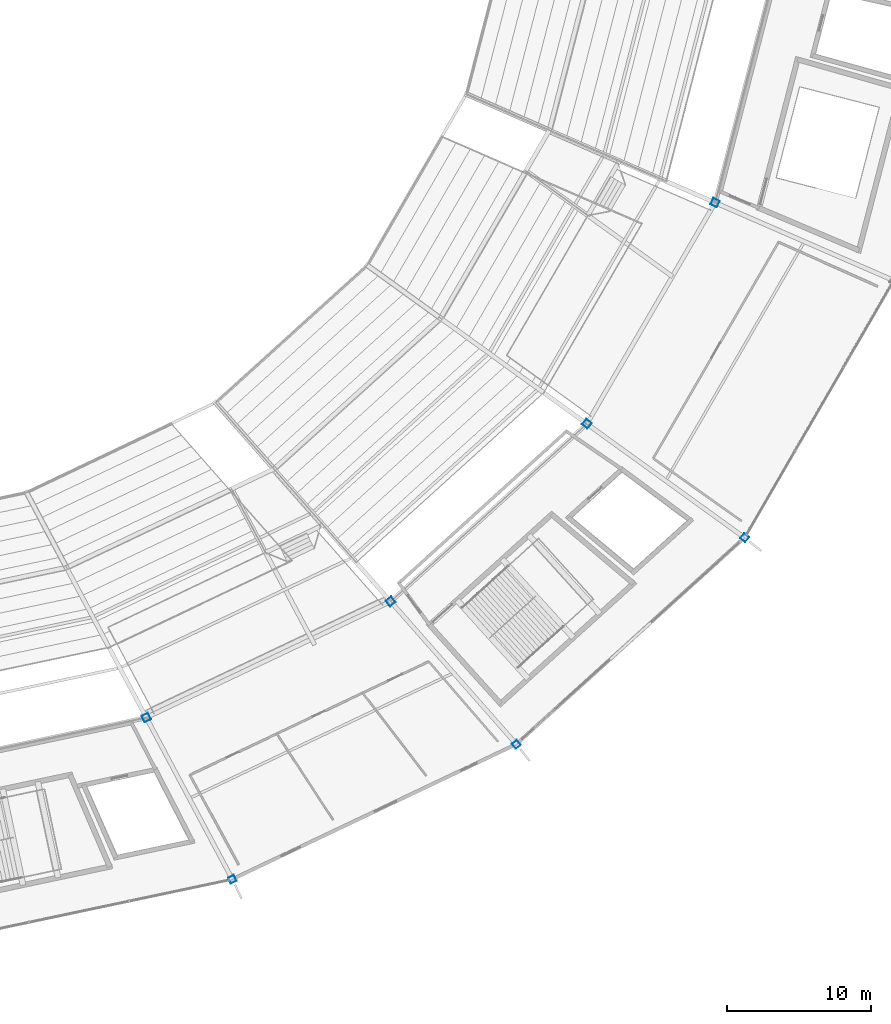
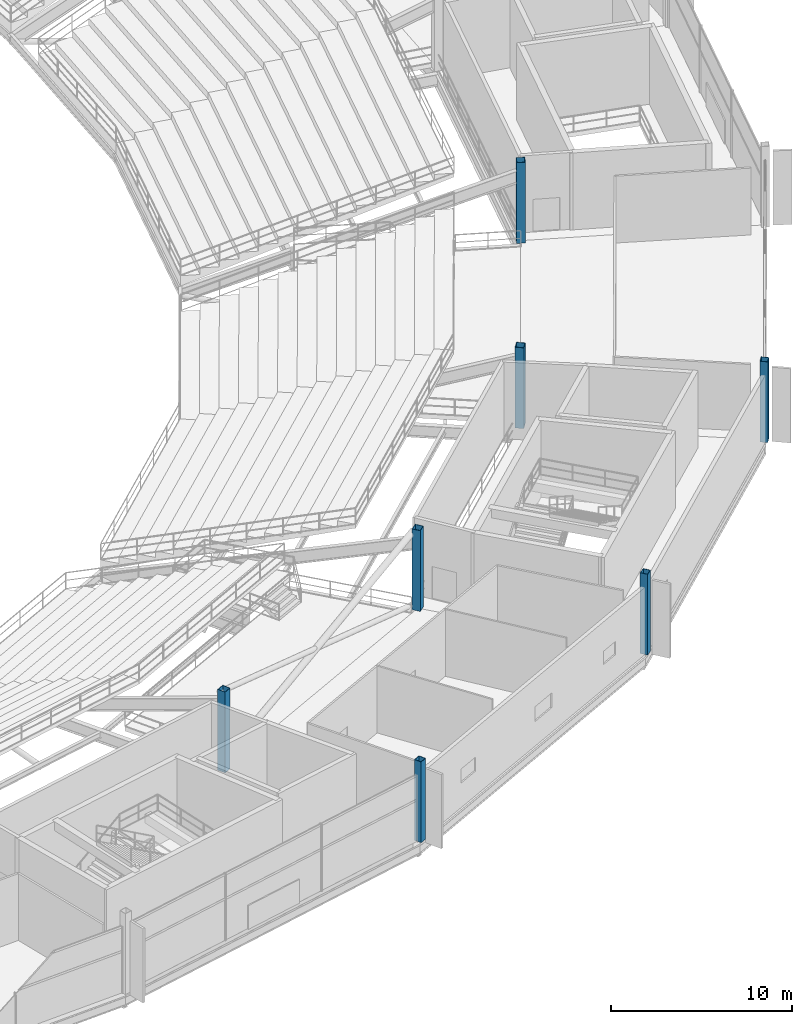
# One storey, part 5 of 186: 7 columns.
"""IFC4 building model written with IfcOpenShell, lengths in metres."""

from ifc_helpers import new_model, si_unit, direction, frame, origin, origin_2d, place, context, subcontext, project, spatial, hollow_rectangle, extrude, material, material_profile, profile_set, type_object, element, save


model = new_model("IFC4")

# Units and contexts
model_context = context("Model", 3, precision=1e-05, world=origin(), true_north=direction((0.0, 1.0)))
body_context = subcontext(model_context, "Body", "Model", "MODEL_VIEW")
ifc_project = project(units=[si_unit("LENGTHUNIT", "METRE"), si_unit("AREAUNIT", "SQUARE_METRE"), si_unit("VOLUMEUNIT", "CUBIC_METRE"), si_unit("PLANEANGLEUNIT", "RADIAN"), si_unit("MASSUNIT", "GRAM", prefix="KILO")], contexts=[model_context])

# Site, building, storey
site_placement = place(None, origin())
site = spatial("IfcSite", under=ifc_project, at=site_placement, CompositionType="ELEMENT")
building_placement = place(site_placement, origin())
building = spatial("IfcBuilding", under=site, at=building_placement, Name="Kazemori Nagisa Stadium", CompositionType="ELEMENT")
storey_placement = place(building_placement, frame((0.0, 0.0, 20.39990234375)))
storey = spatial("IfcBuildingStorey", under=building, at=storey_placement, Name="L04", CompositionType="ELEMENT", Elevation=20.39990234375)

# Columns
ifc_material = material(Name="Steel STKR490", Category="steel")
ifc_material_profile_1 = material_profile(ifc_material, hollow_rectangle(XDim=0.449951171875, YDim=0.449951171875, WallThickness=0.02197265625, at=origin_2d()), Name="SHS-450x450x22")
ifc_profile_set_1 = profile_set([ifc_material_profile_1], Name="Steel STKR490")
column_type_1 = type_object("IfcColumnType", Name="Column_C-ST450", PredefinedType="COLUMN", material=ifc_profile_set_1)
for number, where, z_axis, x_axis, name in (
    (1, (165.8046875, 21.53564453125, 0.0), (0.0, 0.0, 1.0), (0.433883739113, -0.900968867905, 0.0), "Column C-ST450 L04 R3-24"),
    (2, (185.597900390625, 30.94091796875, 0.0), (0.0, 0.0, 1.0), (0.623489801853, -0.781831482473, 0.0), "Column C-ST450 L04 R3-25"),
    (3, (201.495361328125, 45.332275390625, 0.0), (0.0, 0.0, 1.0), (0.781831482473, -0.623489801853, 0.0), "Column C-ST450 L04 R3-26"),
):
    element("IfcColumn", number, at=place(storey_placement, frame(where, z_axis=z_axis, x_axis=x_axis)), inside=storey, type_object=column_type_1, Name=name, PredefinedType="COLUMN", context=body_context, shape_type="SweptSolid", body=[
        extrude(hollow_rectangle(XDim=0.449951171875, YDim=0.449951171875, WallThickness=0.02197265625, at=origin_2d()), origin(), (0.0, 0.0, 1.0), 5.440185546875),
    ])
ifc_material_profile_2 = material_profile(ifc_material, hollow_rectangle(XDim=0.5, YDim=0.5, WallThickness=0.02197265625, at=origin_2d()), Name="SHS-500x500x22")
ifc_profile_set_2 = profile_set([ifc_material_profile_2], Name="Steel STKR490")
column_type_2 = type_object("IfcColumnType", Name="Column_C-ST500", PredefinedType="COLUMN", material=ifc_profile_set_2)
for number, where, z_axis, x_axis, name in (
    (4, (159.81201171875, 32.80078125, 0.0), (0.0, 0.0, 1.0), (0.433883739113, -0.900968867905, 0.0), "Column C-ST500 L04 R2-24"),
    (5, (176.834228515625, 40.88916015625, 0.0), (0.0, 0.0, 1.0), (0.623489801853, -0.781831482473, 0.0), "Column C-ST500 L04 R2-25"),
    (6, (190.506103515625, 53.265869140625, 0.0), (0.0, 0.0, 1.0), (0.781831482473, -0.623489801853, 0.0), "Column C-ST500 L04 R2-26"),
    (7, (199.44091796875, 68.67529296875, 0.0), (0.0, 0.0, 1.0), (0.900968867905, -0.433883739113, 0.0), "Column C-ST500 L04 R2-27"),
):
    element("IfcColumn", number, at=place(storey_placement, frame(where, z_axis=z_axis, x_axis=x_axis)), inside=storey, type_object=column_type_2, Name=name, PredefinedType="COLUMN", context=body_context, shape_type="SweptSolid", body=[
        extrude(hollow_rectangle(XDim=0.5, YDim=0.5, WallThickness=0.02197265625, at=origin_2d()), origin(), (0.0, 0.0, 1.0), 5.440185546875),
    ])

save(model, "model.ifc")
